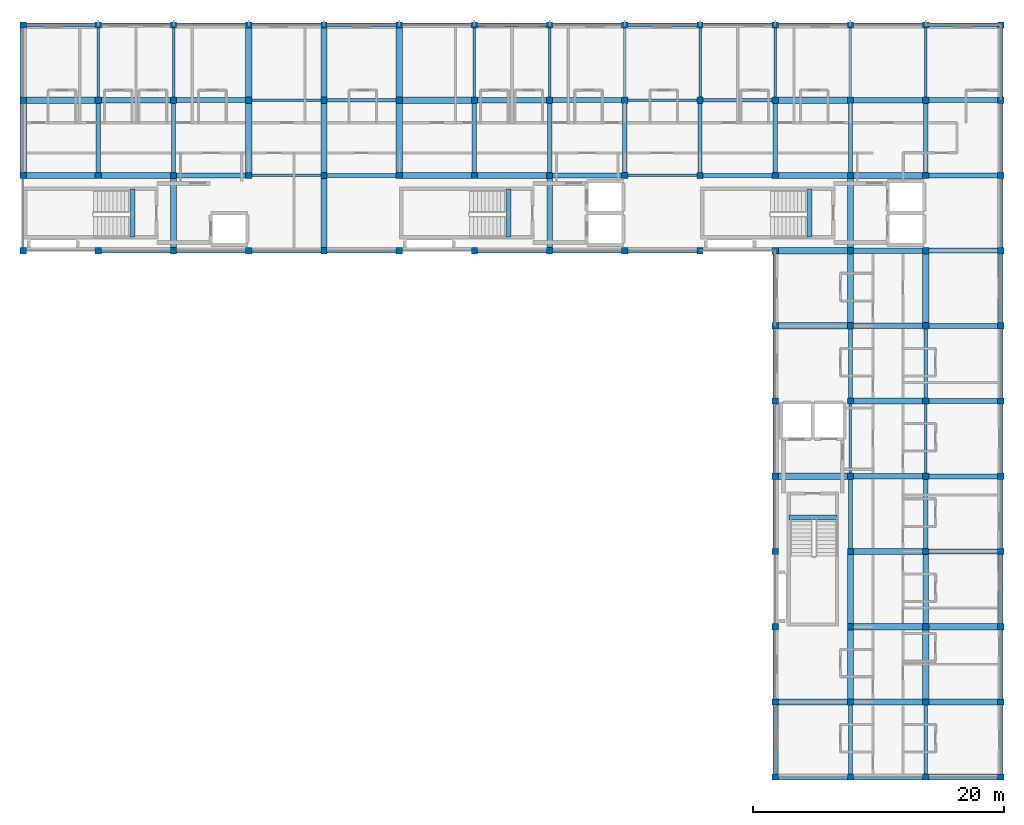
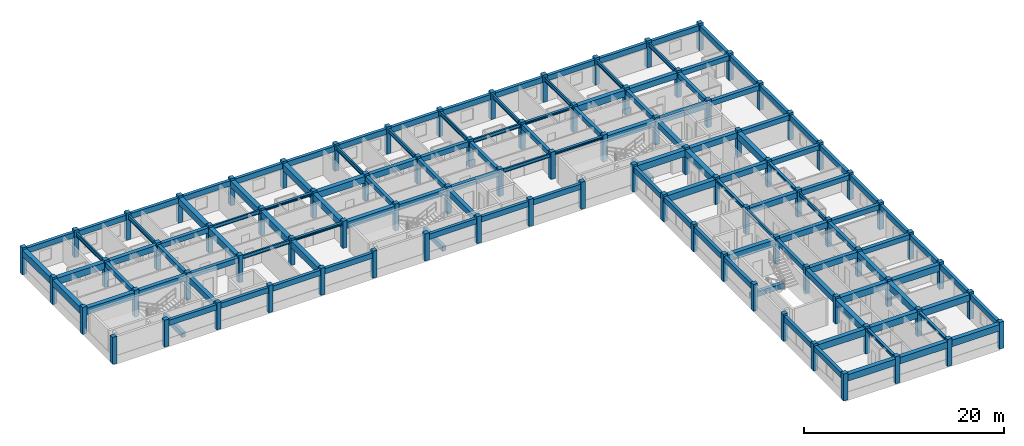
# One storey, part 1 of 14: 131 beams, 84 columns.
"""IFC4 building model written with IfcOpenShell, lengths in metres."""

from ifc_helpers import new_model, si_unit, direction, frame, origin, origin_2d, place, context, subcontext, project, spatial, rectangle, i_section, extrude, material, material_profile, profile_set, type_object, element, save


model = new_model("IFC4")

# Units and contexts
model_context = context("Model", 3, precision=1e-05, world=origin(), true_north=direction((0.0, 1.0)))
body_context = subcontext(model_context, "Body", "Model", "MODEL_VIEW")
ifc_project = project(units=[si_unit("LENGTHUNIT", "METRE"), si_unit("AREAUNIT", "SQUARE_METRE"), si_unit("VOLUMEUNIT", "CUBIC_METRE"), si_unit("PLANEANGLEUNIT", "RADIAN"), si_unit("MASSUNIT", "GRAM", prefix="KILO"), si_unit("THERMODYNAMICTEMPERATUREUNIT", "KELVIN"), si_unit("POWERUNIT", "WATT")], contexts=[model_context])

# Site, building, storey
site_placement = place(None, origin())
site = spatial("IfcSite", under=ifc_project, at=site_placement, CompositionType="ELEMENT")
building_placement = place(site_placement, origin())
building = spatial("IfcBuilding", under=site, at=building_placement, Name="Phaisarnlok Congress Hotel", CompositionType="ELEMENT")
storey_placement = place(building_placement, frame((0.0, 0.0, 48.0)))
storey = spatial("IfcBuildingStorey", under=building, at=storey_placement, Name="L12", CompositionType="ELEMENT", Elevation=48.0)

# Columns
ifc_material_1 = material(Name="Concrete C50/60", Category="concrete")
ifc_material_profile_1 = material_profile(ifc_material_1, rectangle(XDim=0.5, YDim=0.5, at=origin_2d()), Name="RC 500x500")
ifc_profile_set_1 = profile_set([ifc_material_profile_1], Name="Concrete C50/60")
column_type_1 = type_object("IfcColumnType", Name="COL-RC-500", PredefinedType="COLUMN", material=ifc_profile_set_1)
for number, where, z_axis, x_axis, name in (
    (1, (102.0, 108.0, 0.0), (0.0, 0.0, 1.0), (1.0, 0.0, 0.0), "Column C-01 (L12)"),
    (2, (102.0, 114.0, 0.0), (0.0, 0.0, 1.0), (1.0, 0.0, 0.0), "Column C-01 (L12)"),
    (3, (102.0, 120.0, 0.0), (0.0, 0.0, 1.0), (1.0, 0.0, 0.0), "Column C-01 (L12)"),
    (4, (108.0, 108.0, 0.0), (0.0, 0.0, 1.0), (1.0, 0.0, 0.0), "Column C-01 (L12)"),
    (5, (108.0, 114.0, 0.0), (0.0, 0.0, 1.0), (1.0, 0.0, 0.0), "Column C-01 (L12)"),
    (6, (108.0, 120.0, 0.0), (0.0, 0.0, 1.0), (1.0, 0.0, 0.0), "Column C-01 (L12)"),
    (7, (114.0, 108.0, 0.0), (0.0, 0.0, 1.0), (1.0, 0.0, 0.0), "Column C-01 (L12)"),
    (8, (114.0, 114.0, 0.0), (0.0, 0.0, 1.0), (1.0, 0.0, 0.0), "Column C-01 (L12)"),
    (9, (114.0, 120.0, 0.0), (0.0, 0.0, 1.0), (1.0, 0.0, 0.0), "Column C-01 (L12)"),
    (10, (120.0, 108.0, 0.0), (0.0, 0.0, 1.0), (1.0, 0.0, 0.0), "Column C-01 (L12)"),
    (11, (120.0, 114.0, 0.0), (0.0, 0.0, 1.0), (1.0, 0.0, 0.0), "Column C-01 (L12)"),
    (12, (120.0, 120.0, 0.0), (0.0, 0.0, 1.0), (1.0, 0.0, 0.0), "Column C-01 (L12)"),
    (13, (126.0, 108.0, 0.0), (0.0, 0.0, 1.0), (1.0, 0.0, 0.0), "Column C-01 (L12)"),
    (14, (126.0, 114.0, 0.0), (0.0, 0.0, 1.0), (1.0, 0.0, 0.0), "Column C-01 (L12)"),
    (15, (126.0, 120.0, 0.0), (0.0, 0.0, 1.0), (1.0, 0.0, 0.0), "Column C-01 (L12)"),
    (16, (132.0, 108.0, 0.0), (0.0, 0.0, 1.0), (1.0, 0.0, 0.0), "Column C-01 (L12)"),
    (17, (132.0, 114.0, 0.0), (0.0, 0.0, 1.0), (1.0, 0.0, 0.0), "Column C-01 (L12)"),
    (18, (132.0, 120.0, 0.0), (0.0, 0.0, 1.0), (1.0, 0.0, 0.0), "Column C-01 (L12)"),
    (19, (138.0, 108.0, 0.0), (0.0, 0.0, 1.0), (1.0, 0.0, 0.0), "Column C-01 (L12)"),
    (20, (138.0, 114.0, 0.0), (0.0, 0.0, 1.0), (1.0, 0.0, 0.0), "Column C-01 (L12)"),
    (21, (138.0, 120.0, 0.0), (0.0, 0.0, 1.0), (1.0, 0.0, 0.0), "Column C-01 (L12)"),
    (22, (144.0, 108.0, 0.0), (0.0, 0.0, 1.0), (1.0, 0.0, 0.0), "Column C-01 (L12)"),
    (23, (144.0, 114.0, 0.0), (0.0, 0.0, 1.0), (1.0, 0.0, 0.0), "Column C-01 (L12)"),
    (24, (144.0, 120.0, 0.0), (0.0, 0.0, 1.0), (1.0, 0.0, 0.0), "Column C-01 (L12)"),
    (25, (150.0, 108.0, 0.0), (0.0, 0.0, 1.0), (1.0, 0.0, 0.0), "Column C-01 (L12)"),
    (26, (150.0, 114.0, 0.0), (0.0, 0.0, 1.0), (1.0, 0.0, 0.0), "Column C-01 (L12)"),
    (27, (150.0, 120.0, 0.0), (0.0, 0.0, 1.0), (1.0, 0.0, 0.0), "Column C-01 (L12)"),
    (28, (156.0, 108.0, 0.0), (0.0, 0.0, 1.0), (1.0, 0.0, 0.0), "Column C-01 (L12)"),
    (29, (156.0, 114.0, 0.0), (0.0, 0.0, 1.0), (1.0, 0.0, 0.0), "Column C-01 (L12)"),
    (30, (156.0, 120.0, 0.0), (0.0, 0.0, 1.0), (1.0, 0.0, 0.0), "Column C-01 (L12)"),
    (31, (162.0, 66.0, 0.0), (0.0, 0.0, 1.0), (1.0, 0.0, 0.0), "Column C-01 (L12)"),
    (32, (162.0, 72.0, 0.0), (0.0, 0.0, 1.0), (1.0, 0.0, 0.0), "Column C-01 (L12)"),
    (33, (162.0, 78.0, 0.0), (0.0, 0.0, 1.0), (1.0, 0.0, 0.0), "Column C-01 (L12)"),
    (34, (162.0, 84.0, 0.0), (0.0, 0.0, 1.0), (1.0, 0.0, 0.0), "Column C-01 (L12)"),
    (35, (162.0, 90.0, 0.0), (0.0, 0.0, 1.0), (1.0, 0.0, 0.0), "Column C-01 (L12)"),
    (36, (162.0, 96.0, 0.0), (0.0, 0.0, 1.0), (1.0, 0.0, 0.0), "Column C-01 (L12)"),
    (37, (162.0, 102.0, 0.0), (0.0, 0.0, 1.0), (1.0, 0.0, 0.0), "Column C-01 (L12)"),
    (38, (162.0, 108.0, 0.0), (0.0, 0.0, 1.0), (1.0, 0.0, 0.0), "Column C-01 (L12)"),
    (39, (162.0, 114.0, 0.0), (0.0, 0.0, 1.0), (1.0, 0.0, 0.0), "Column C-01 (L12)"),
    (40, (162.0, 120.0, 0.0), (0.0, 0.0, 1.0), (1.0, 0.0, 0.0), "Column C-01 (L12)"),
    (41, (168.0, 66.0, 0.0), (0.0, 0.0, 1.0), (1.0, 0.0, 0.0), "Column C-01 (L12)"),
    (42, (168.0, 72.0, 0.0), (0.0, 0.0, 1.0), (1.0, 0.0, 0.0), "Column C-01 (L12)"),
    (43, (168.0, 78.0, 0.0), (0.0, 0.0, 1.0), (1.0, 0.0, 0.0), "Column C-01 (L12)"),
    (44, (168.0, 84.0, 0.0), (0.0, 0.0, 1.0), (1.0, 0.0, 0.0), "Column C-01 (L12)"),
    (45, (168.0, 90.0, 0.0), (0.0, 0.0, 1.0), (1.0, 0.0, 0.0), "Column C-01 (L12)"),
    (46, (168.0, 96.0, 0.0), (0.0, 0.0, 1.0), (1.0, 0.0, 0.0), "Column C-01 (L12)"),
    (47, (168.0, 102.0, 0.0), (0.0, 0.0, 1.0), (1.0, 0.0, 0.0), "Column C-01 (L12)"),
    (48, (168.0, 108.0, 0.0), (0.0, 0.0, 1.0), (1.0, 0.0, 0.0), "Column C-01 (L12)"),
    (49, (168.0, 114.0, 0.0), (0.0, 0.0, 1.0), (1.0, 0.0, 0.0), "Column C-01 (L12)"),
    (50, (168.0, 120.0, 0.0), (0.0, 0.0, 1.0), (1.0, 0.0, 0.0), "Column C-01 (L12)"),
    (51, (174.0, 66.0, 0.0), (0.0, 0.0, 1.0), (1.0, 0.0, 0.0), "Column C-01 (L12)"),
    (52, (174.0, 72.0, 0.0), (0.0, 0.0, 1.0), (1.0, 0.0, 0.0), "Column C-01 (L12)"),
    (53, (174.0, 78.0, 0.0), (0.0, 0.0, 1.0), (1.0, 0.0, 0.0), "Column C-01 (L12)"),
    (54, (174.0, 84.0, 0.0), (0.0, 0.0, 1.0), (1.0, 0.0, 0.0), "Column C-01 (L12)"),
    (55, (174.0, 90.0, 0.0), (0.0, 0.0, 1.0), (1.0, 0.0, 0.0), "Column C-01 (L12)"),
    (56, (174.0, 96.0, 0.0), (0.0, 0.0, 1.0), (1.0, 0.0, 0.0), "Column C-01 (L12)"),
    (57, (174.0, 102.0, 0.0), (0.0, 0.0, 1.0), (1.0, 0.0, 0.0), "Column C-01 (L12)"),
    (58, (174.0, 108.0, 0.0), (0.0, 0.0, 1.0), (1.0, 0.0, 0.0), "Column C-01 (L12)"),
    (59, (174.0, 114.0, 0.0), (0.0, 0.0, 1.0), (1.0, 0.0, 0.0), "Column C-01 (L12)"),
    (60, (174.0, 120.0, 0.0), (0.0, 0.0, 1.0), (1.0, 0.0, 0.0), "Column C-01 (L12)"),
):
    element("IfcColumn", number, at=place(storey_placement, frame(where, z_axis=z_axis, x_axis=x_axis)), inside=storey, type_object=column_type_1, Name=name, PredefinedType="COLUMN", context=body_context, shape_type="SweptSolid", body=[
        extrude(rectangle(XDim=0.5, YDim=0.5, at=origin_2d()), origin(), (0.0, 0.0, 1.0), 3.300048828125),
    ])
ifc_material_profile_2 = material_profile(ifc_material_1, rectangle(XDim=0.5, YDim=0.5, at=origin_2d()), Name="RC 500x500")
ifc_profile_set_2 = profile_set([ifc_material_profile_2], Name="Concrete C50/60")
column_type_2 = type_object("IfcColumnType", Name="COL-RC-500-EXT", PredefinedType="COLUMN", material=ifc_profile_set_2)
for number, where, z_axis, x_axis, name in (
    (61, (102.0, 126.0, 0.0), (0.0, 0.0, 1.0), (1.0, 0.0, 0.0), "Column C-01E (L12)"),
    (62, (108.0, 126.0, 0.0), (0.0, 0.0, 1.0), (1.0, 0.0, 0.0), "Column C-01E (L12)"),
    (63, (114.0, 126.0, 0.0), (0.0, 0.0, 1.0), (1.0, 0.0, 0.0), "Column C-01E (L12)"),
    (64, (120.0, 126.0, 0.0), (0.0, 0.0, 1.0), (1.0, 0.0, 0.0), "Column C-01E (L12)"),
    (65, (126.0, 126.0, 0.0), (0.0, 0.0, 1.0), (1.0, 0.0, 0.0), "Column C-01E (L12)"),
    (66, (132.0, 126.0, 0.0), (0.0, 0.0, 1.0), (1.0, 0.0, 0.0), "Column C-01E (L12)"),
    (67, (138.0, 126.0, 0.0), (0.0, 0.0, 1.0), (1.0, 0.0, 0.0), "Column C-01E (L12)"),
    (68, (144.0, 126.0, 0.0), (0.0, 0.0, 1.0), (1.0, 0.0, 0.0), "Column C-01E (L12)"),
    (69, (150.0, 126.0, 0.0), (0.0, 0.0, 1.0), (1.0, 0.0, 0.0), "Column C-01E (L12)"),
    (70, (156.0, 126.0, 0.0), (0.0, 0.0, 1.0), (1.0, 0.0, 0.0), "Column C-01E (L12)"),
    (71, (162.0, 126.0, 0.0), (0.0, 0.0, 1.0), (1.0, 0.0, 0.0), "Column C-01E (L12)"),
    (72, (168.0, 126.0, 0.0), (0.0, 0.0, 1.0), (1.0, 0.0, 0.0), "Column C-01E (L12)"),
    (73, (174.0, 126.0, 0.0), (0.0, 0.0, 1.0), (1.0, 0.0, 0.0), "Column C-01E (L12)"),
    (74, (180.0, 66.0, 0.0), (0.0, 0.0, 1.0), (1.0, 0.0, 0.0), "Column C-01E (L12)"),
    (75, (180.0, 72.0, 0.0), (0.0, 0.0, 1.0), (1.0, 0.0, 0.0), "Column C-01E (L12)"),
    (76, (180.0, 78.0, 0.0), (0.0, 0.0, 1.0), (1.0, 0.0, 0.0), "Column C-01E (L12)"),
    (77, (180.0, 84.0, 0.0), (0.0, 0.0, 1.0), (1.0, 0.0, 0.0), "Column C-01E (L12)"),
    (78, (180.0, 90.0, 0.0), (0.0, 0.0, 1.0), (1.0, 0.0, 0.0), "Column C-01E (L12)"),
    (79, (180.0, 96.0, 0.0), (0.0, 0.0, 1.0), (1.0, 0.0, 0.0), "Column C-01E (L12)"),
    (80, (180.0, 102.0, 0.0), (0.0, 0.0, 1.0), (1.0, 0.0, 0.0), "Column C-01E (L12)"),
    (81, (180.0, 108.0, 0.0), (0.0, 0.0, 1.0), (1.0, 0.0, 0.0), "Column C-01E (L12)"),
    (82, (180.0, 114.0, 0.0), (0.0, 0.0, 1.0), (1.0, 0.0, 0.0), "Column C-01E (L12)"),
    (83, (180.0, 120.0, 0.0), (0.0, 0.0, 1.0), (1.0, 0.0, 0.0), "Column C-01E (L12)"),
    (84, (180.0, 126.0, 0.0), (0.0, 0.0, 1.0), (1.0, 0.0, 0.0), "Column C-01E (L12)"),
):
    element("IfcColumn", number, at=place(storey_placement, frame(where, z_axis=z_axis, x_axis=x_axis)), inside=storey, type_object=column_type_2, Name=name, PredefinedType="COLUMN", context=body_context, shape_type="SweptSolid", body=[
        extrude(rectangle(XDim=0.5, YDim=0.5, at=origin_2d()), origin(), (0.0, 0.0, 1.0), 3.300048828125),
    ])

# Beams
ifc_material_2 = material(Name="Concrete C40/50", Category="concrete")
ifc_material_profile_3 = material_profile(ifc_material_2, rectangle(XDim=0.35009765625, YDim=0.550048828125, at=origin_2d()), Name="RC 350x550")
ifc_profile_set_3 = profile_set([ifc_material_profile_3], Name="Concrete C40/50")
beam_type_1 = type_object("IfcBeamType", Name="BM-RC-350x550", PredefinedType="BEAM", material=ifc_profile_set_3)
for number, where, z_axis, x_axis, name in (
    (85, (108.0, 114.2451171875, 2.77490234375), (0.0, 1.0, 0.0), (-1.0, 0.0, 0.0), "Beam B-01"),
    (86, (114.0, 114.2451171875, 2.77490234375), (0.0, 1.0, 0.0), (-1.0, 0.0, 0.0), "Beam B-01"),
    (87, (138.0, 114.2451171875, 2.77490234375), (0.0, 1.0, 0.0), (-1.0, 0.0, 0.0), "Beam B-01"),
    (88, (144.0, 114.2451171875, 2.77490234375), (0.0, 1.0, 0.0), (-1.0, 0.0, 0.0), "Beam B-01"),
    (89, (150.0, 114.2451171875, 2.77490234375), (0.0, 1.0, 0.0), (-1.0, 0.0, 0.0), "Beam B-01"),
    (90, (156.0, 114.2451171875, 2.77490234375), (0.0, 1.0, 0.0), (-1.0, 0.0, 0.0), "Beam B-01"),
    (91, (162.0, 114.2451171875, 2.77490234375), (0.0, 1.0, 0.0), (-1.0, 0.0, 0.0), "Beam B-01"),
    (92, (168.0, 84.2451171875, 2.77490234375), (0.0, 1.0, 0.0), (-1.0, 0.0, 0.0), "Beam B-01"),
    (93, (168.0, 114.2451171875, 2.77490234375), (0.0, 1.0, 0.0), (-1.0, 0.0, 0.0), "Beam B-01"),
    (94, (174.0, 84.2451171875, 2.77490234375), (0.0, 1.0, 0.0), (-1.0, 0.0, 0.0), "Beam B-01"),
    (95, (174.0, 114.2451171875, 2.77490234375), (0.0, 1.0, 0.0), (-1.0, 0.0, 0.0), "Beam B-01"),
):
    element("IfcBeam", number, at=place(storey_placement, frame(where, z_axis=z_axis, x_axis=x_axis)), inside=storey, type_object=beam_type_1, Name=name, PredefinedType="BEAM", context=body_context, shape_type="SweptSolid", body=[
        extrude(rectangle(XDim=0.35009765625, YDim=0.550048828125, at=origin_2d()), origin(), (0.0, 0.0, 1.0), 5.509765625),
    ])
ifc_material_profile_4 = material_profile(ifc_material_2, rectangle(XDim=0.39990234375, YDim=0.60009765625, at=origin_2d()), Name="RC 400x600")
ifc_profile_set_4 = profile_set([ifc_material_profile_4], Name="Concrete C40/50")
beam_type_2 = type_object("IfcBeamType", Name="BM-RC-400x600", PredefinedType="BEAM", material=ifc_profile_set_4)
for number, where, z_axis, x_axis, name in (
    (96, (114.2451171875, 114.0, 2.75), (1.0, 0.0, 0.0), (0.0, 1.0, 0.0), "Beam B-02"),
    (97, (114.2451171875, 120.0, 2.75), (1.0, 0.0, 0.0), (0.0, 1.0, 0.0), "Beam B-02"),
    (98, (144.2451171875, 114.0, 2.75), (1.0, 0.0, 0.0), (0.0, 1.0, 0.0), "Beam B-02"),
    (99, (144.2451171875, 120.0, 2.75), (1.0, 0.0, 0.0), (0.0, 1.0, 0.0), "Beam B-02"),
    (100, (174.2451171875, 84.0, 2.75), (1.0, 0.0, 0.0), (0.0, 1.0, 0.0), "Beam B-02"),
    (101, (174.2451171875, 90.0, 2.75), (1.0, 0.0, 0.0), (0.0, 1.0, 0.0), "Beam B-02"),
    (102, (174.2451171875, 96.0, 2.75), (1.0, 0.0, 0.0), (0.0, 1.0, 0.0), "Beam B-02"),
    (103, (174.2451171875, 102.0, 2.75), (1.0, 0.0, 0.0), (0.0, 1.0, 0.0), "Beam B-02"),
    (104, (174.2451171875, 108.0, 2.75), (1.0, 0.0, 0.0), (0.0, 1.0, 0.0), "Beam B-02"),
    (105, (174.2451171875, 114.0, 2.75), (1.0, 0.0, 0.0), (0.0, 1.0, 0.0), "Beam B-02"),
    (106, (174.2451171875, 120.0, 2.75), (1.0, 0.0, 0.0), (0.0, 1.0, 0.0), "Beam B-02"),
):
    element("IfcBeam", number, at=place(storey_placement, frame(where, z_axis=z_axis, x_axis=x_axis)), inside=storey, type_object=beam_type_2, Name=name, PredefinedType="BEAM", context=body_context, shape_type="SweptSolid", body=[
        extrude(rectangle(XDim=0.39990234375, YDim=0.60009765625, at=origin_2d()), origin(), (0.0, 0.0, 1.0), 5.509765625),
    ])
for number, where, z_axis, x_axis, name in (
    (107, (164.719970703125, 109.080078125, -0.300048828125), (0.0, 1.0, 0.0), (-1.0, 0.0, 0.0), "Stair landing header beam B-02 (CORE-1 L12)"),
    (108, (140.719970703125, 109.080078125, -0.300048828125), (0.0, 1.0, 0.0), (-1.0, 0.0, 0.0), "Stair landing header beam B-02 (CORE-2 L12)"),
    (109, (163.080078125, 86.719970703125, -0.300048828125), (1.0, 0.0, 0.0), (0.0, 1.0, 0.0), "Stair landing header beam B-02 (CORE-3 L12)"),
    (110, (110.719970703125, 109.080078125, -0.300048828125), (0.0, 1.0, 0.0), (-1.0, 0.0, 0.0), "Stair landing header beam B-02 (CORE-4 L12)"),
):
    element("IfcBeam", number, at=place(storey_placement, frame(where, z_axis=z_axis, x_axis=x_axis)), inside=storey, type_object=beam_type_2, Name=name, PredefinedType="BEAM", context=body_context, shape_type="SweptSolid", body=[
        extrude(rectangle(XDim=0.39990234375, YDim=0.60009765625, at=origin_2d()), origin(), (0.0, 0.0, 1.0), 3.83984375),
    ])
ifc_material_profile_5 = material_profile(ifc_material_2, rectangle(XDim=0.449951171875, YDim=0.699951171875, at=origin_2d()), Name="RC 450x700")
ifc_profile_set_5 = profile_set([ifc_material_profile_5], Name="Concrete C40/50")
beam_type_3 = type_object("IfcBeamType", Name="BM-RC-450x700", PredefinedType="BEAM", material=ifc_profile_set_5)
for number, where, z_axis, x_axis, name in (
    (111, (108.2451171875, 114.0, 2.699951171875), (1.0, 0.0, 0.0), (0.0, 1.0, 0.0), "Beam B-03"),
    (112, (108.2451171875, 120.0, 2.699951171875), (1.0, 0.0, 0.0), (0.0, 1.0, 0.0), "Beam B-03"),
    (113, (114.0, 108.2451171875, 2.699951171875), (0.0, 1.0, 0.0), (-1.0, 0.0, 0.0), "Beam B-03"),
    (114, (138.2451171875, 114.0, 2.699951171875), (1.0, 0.0, 0.0), (0.0, 1.0, 0.0), "Beam B-03"),
    (115, (138.2451171875, 120.0, 2.699951171875), (1.0, 0.0, 0.0), (0.0, 1.0, 0.0), "Beam B-03"),
    (116, (144.0, 108.2451171875, 2.699951171875), (0.0, 1.0, 0.0), (-1.0, 0.0, 0.0), "Beam B-03"),
    (117, (168.0, 78.2451171875, 2.699951171875), (0.0, 1.0, 0.0), (-1.0, 0.0, 0.0), "Beam B-03"),
    (118, (168.2451171875, 84.0, 2.699951171875), (1.0, 0.0, 0.0), (0.0, 1.0, 0.0), "Beam B-03"),
    (119, (168.2451171875, 90.0, 2.699951171875), (1.0, 0.0, 0.0), (0.0, 1.0, 0.0), "Beam B-03"),
    (120, (168.2451171875, 96.0, 2.699951171875), (1.0, 0.0, 0.0), (0.0, 1.0, 0.0), "Beam B-03"),
    (121, (168.2451171875, 102.0, 2.699951171875), (1.0, 0.0, 0.0), (0.0, 1.0, 0.0), "Beam B-03"),
    (122, (168.2451171875, 108.0, 2.699951171875), (1.0, 0.0, 0.0), (0.0, 1.0, 0.0), "Beam B-03"),
    (123, (168.0, 108.2451171875, 2.699951171875), (0.0, 1.0, 0.0), (-1.0, 0.0, 0.0), "Beam B-03"),
    (124, (168.2451171875, 114.0, 2.699951171875), (1.0, 0.0, 0.0), (0.0, 1.0, 0.0), "Beam B-03"),
    (125, (168.2451171875, 120.0, 2.699951171875), (1.0, 0.0, 0.0), (0.0, 1.0, 0.0), "Beam B-03"),
    (126, (174.0, 78.2451171875, 2.699951171875), (0.0, 1.0, 0.0), (-1.0, 0.0, 0.0), "Beam B-03"),
):
    element("IfcBeam", number, at=place(storey_placement, frame(where, z_axis=z_axis, x_axis=x_axis)), inside=storey, type_object=beam_type_3, Name=name, PredefinedType="BEAM", context=body_context, shape_type="SweptSolid", body=[
        extrude(rectangle(XDim=0.449951171875, YDim=0.699951171875, at=origin_2d()), origin(), (0.0, 0.0, 1.0), 5.509765625),
    ])
ifc_material_profile_6 = material_profile(ifc_material_2, rectangle(XDim=0.5, YDim=0.800048828125, at=origin_2d()), Name="RC 500x800")
ifc_profile_set_6 = profile_set([ifc_material_profile_6], Name="Concrete C40/50")
beam_type_4 = type_object("IfcBeamType", Name="BM-RC-500x800", PredefinedType="BEAM", material=ifc_profile_set_6)
for number, where, z_axis, x_axis, name in (
    (127, (102.2451171875, 114.0, 2.64990234375), (1.0, 0.0, 0.0), (0.0, 1.0, 0.0), "Beam B-04"),
    (128, (102.2451171875, 120.0, 2.64990234375), (1.0, 0.0, 0.0), (0.0, 1.0, 0.0), "Beam B-04"),
    (129, (120.0, 114.2451171875, 2.64990234375), (0.0, 1.0, 0.0), (-1.0, 0.0, 0.0), "Beam B-04"),
    (130, (120.0, 120.2451171875, 2.64990234375), (0.0, 1.0, 0.0), (-1.0, 0.0, 0.0), "Beam B-04"),
    (131, (126.0, 108.2451171875, 2.64990234375), (0.0, 1.0, 0.0), (-1.0, 0.0, 0.0), "Beam B-04"),
    (132, (126.0, 114.2451171875, 2.64990234375), (0.0, 1.0, 0.0), (-1.0, 0.0, 0.0), "Beam B-04"),
    (133, (126.0, 120.2451171875, 2.64990234375), (0.0, 1.0, 0.0), (-1.0, 0.0, 0.0), "Beam B-04"),
    (134, (132.2451171875, 114.0, 2.64990234375), (1.0, 0.0, 0.0), (0.0, 1.0, 0.0), "Beam B-04"),
    (135, (132.0, 114.2451171875, 2.64990234375), (0.0, 1.0, 0.0), (-1.0, 0.0, 0.0), "Beam B-04"),
    (136, (132.2451171875, 120.0, 2.64990234375), (1.0, 0.0, 0.0), (0.0, 1.0, 0.0), "Beam B-04"),
    (137, (132.0, 120.2451171875, 2.64990234375), (0.0, 1.0, 0.0), (-1.0, 0.0, 0.0), "Beam B-04"),
    (138, (162.2451171875, 72.0, 2.64990234375), (1.0, 0.0, 0.0), (0.0, 1.0, 0.0), "Beam B-04"),
    (139, (162.2451171875, 90.0, 2.64990234375), (1.0, 0.0, 0.0), (0.0, 1.0, 0.0), "Beam B-04"),
    (140, (162.2451171875, 102.0, 2.64990234375), (1.0, 0.0, 0.0), (0.0, 1.0, 0.0), "Beam B-04"),
    (141, (162.2451171875, 108.0, 2.64990234375), (1.0, 0.0, 0.0), (0.0, 1.0, 0.0), "Beam B-04"),
    (142, (162.2451171875, 114.0, 2.64990234375), (1.0, 0.0, 0.0), (0.0, 1.0, 0.0), "Beam B-04"),
    (143, (162.2451171875, 120.0, 2.64990234375), (1.0, 0.0, 0.0), (0.0, 1.0, 0.0), "Beam B-04"),
    (144, (168.2451171875, 72.0, 2.64990234375), (1.0, 0.0, 0.0), (0.0, 1.0, 0.0), "Beam B-04"),
    (145, (168.0, 72.2451171875, 2.64990234375), (0.0, 1.0, 0.0), (-1.0, 0.0, 0.0), "Beam B-04"),
    (146, (168.2451171875, 78.0, 2.64990234375), (1.0, 0.0, 0.0), (0.0, 1.0, 0.0), "Beam B-04"),
    (147, (168.0, 102.2451171875, 2.64990234375), (0.0, 1.0, 0.0), (-1.0, 0.0, 0.0), "Beam B-04"),
    (148, (174.2451171875, 72.0, 2.64990234375), (1.0, 0.0, 0.0), (0.0, 1.0, 0.0), "Beam B-04"),
    (149, (174.0, 72.2451171875, 2.64990234375), (0.0, 1.0, 0.0), (-1.0, 0.0, 0.0), "Beam B-04"),
    (150, (174.2451171875, 78.0, 2.64990234375), (1.0, 0.0, 0.0), (0.0, 1.0, 0.0), "Beam B-04"),
    (151, (174.0, 102.2451171875, 2.64990234375), (0.0, 1.0, 0.0), (-1.0, 0.0, 0.0), "Beam B-04"),
):
    element("IfcBeam", number, at=place(storey_placement, frame(where, z_axis=z_axis, x_axis=x_axis)), inside=storey, type_object=beam_type_4, Name=name, PredefinedType="BEAM", context=body_context, shape_type="SweptSolid", body=[
        extrude(rectangle(XDim=0.5, YDim=0.800048828125, at=origin_2d()), origin(), (0.0, 0.0, 1.0), 5.509765625),
    ])
ifc_material_3 = material(Name="Steel S355", Category="steel")
ifc_material_profile_7 = material_profile(ifc_material_3, i_section(OverallWidth=0.300048828125, OverallDepth=0.2900390625, WebThickness=0.008544921875, FlangeThickness=0.013916015625, FilletRadius=0.027099609375, at=origin_2d()), Name="HEA 300")
ifc_profile_set_7 = profile_set([ifc_material_profile_7], Name="Steel S355")
beam_type_5 = type_object("IfcBeamType", Name="BM-STL-HEA300", PredefinedType="BEAM", material=ifc_profile_set_7)
for number, where, z_axis, x_axis, name in (
    (152, (126.2451171875, 114.0, 2.905029296875), (1.0, 0.0, 0.0), (0.0, 1.0, 0.0), "Beam SB-05"),
    (153, (126.2451171875, 120.0, 2.905029296875), (1.0, 0.0, 0.0), (0.0, 1.0, 0.0), "Beam SB-05"),
    (154, (156.2451171875, 114.0, 2.905029296875), (1.0, 0.0, 0.0), (0.0, 1.0, 0.0), "Beam SB-05"),
    (155, (156.2451171875, 120.0, 2.905029296875), (1.0, 0.0, 0.0), (0.0, 1.0, 0.0), "Beam SB-05"),
):
    element("IfcBeam", number, at=place(storey_placement, frame(where, z_axis=z_axis, x_axis=x_axis)), inside=storey, type_object=beam_type_5, Name=name, PredefinedType="BEAM", context=body_context, shape_type="SweptSolid", body=[
        extrude(i_section(OverallWidth=0.300048828125, OverallDepth=0.2900390625, WebThickness=0.008544921875, FlangeThickness=0.013916015625, FilletRadius=0.027099609375, at=origin_2d()), origin(), (0.0, 0.0, 1.0), 5.509765625),
    ])
ifc_material_profile_8 = material_profile(ifc_material_3, i_section(OverallWidth=0.300048828125, OverallDepth=0.340087890625, WebThickness=0.011962890625, FlangeThickness=0.021484375, FilletRadius=0.027099609375, at=origin_2d()), Name="HEB 340")
ifc_profile_set_8 = profile_set([ifc_material_profile_8], Name="Steel S355")
beam_type_6 = type_object("IfcBeamType", Name="BM-STL-HEB340", PredefinedType="BEAM", material=ifc_profile_set_8)
for number, where, z_axis, x_axis, name in (
    (156, (168.0, 66.2451171875, 2.8798828125), (0.0, 1.0, 0.0), (-1.0, 0.0, 0.0), "Beam SB-07"),
    (157, (168.0, 96.2451171875, 2.8798828125), (0.0, 1.0, 0.0), (-1.0, 0.0, 0.0), "Beam SB-07"),
    (158, (174.0, 66.2451171875, 2.8798828125), (0.0, 1.0, 0.0), (-1.0, 0.0, 0.0), "Beam SB-07"),
    (159, (174.0, 96.2451171875, 2.8798828125), (0.0, 1.0, 0.0), (-1.0, 0.0, 0.0), "Beam SB-07"),
):
    element("IfcBeam", number, at=place(storey_placement, frame(where, z_axis=z_axis, x_axis=x_axis)), inside=storey, type_object=beam_type_6, Name=name, PredefinedType="BEAM", context=body_context, shape_type="SweptSolid", body=[
        extrude(i_section(OverallWidth=0.300048828125, OverallDepth=0.340087890625, WebThickness=0.011962890625, FlangeThickness=0.021484375, FilletRadius=0.027099609375, at=origin_2d()), origin(), (0.0, 0.0, 1.0), 5.509765625),
    ])
ifc_material_profile_9 = material_profile(ifc_material_3, i_section(OverallWidth=0.18994140625, OverallDepth=0.449951171875, WebThickness=0.009521484375, FlangeThickness=0.0146484375, FilletRadius=0.02099609375, at=origin_2d()), Name="IPE 450")
ifc_profile_set_9 = profile_set([ifc_material_profile_9], Name="Steel S355")
beam_type_7 = type_object("IfcBeamType", Name="BM-STL-IPE450", PredefinedType="BEAM", material=ifc_profile_set_9)
for number, where, z_axis, x_axis, name in (
    (160, (120.2451171875, 114.0, 2.824951171875), (1.0, 0.0, 0.0), (0.0, 1.0, 0.0), "Beam SB-01"),
    (161, (120.2451171875, 120.0, 2.824951171875), (1.0, 0.0, 0.0), (0.0, 1.0, 0.0), "Beam SB-01"),
    (162, (150.2451171875, 114.0, 2.824951171875), (1.0, 0.0, 0.0), (0.0, 1.0, 0.0), "Beam SB-01"),
    (163, (150.2451171875, 120.0, 2.824951171875), (1.0, 0.0, 0.0), (0.0, 1.0, 0.0), "Beam SB-01"),
):
    element("IfcBeam", number, at=place(storey_placement, frame(where, z_axis=z_axis, x_axis=x_axis)), inside=storey, type_object=beam_type_7, Name=name, PredefinedType="BEAM", context=body_context, shape_type="SweptSolid", body=[
        extrude(i_section(OverallWidth=0.18994140625, OverallDepth=0.449951171875, WebThickness=0.009521484375, FlangeThickness=0.0146484375, FilletRadius=0.02099609375, at=origin_2d()), origin(), (0.0, 0.0, 1.0), 5.509765625),
    ])
ifc_material_profile_10 = material_profile(ifc_material_3, i_section(OverallWidth=0.199951171875, OverallDepth=0.5, WebThickness=0.01025390625, FlangeThickness=0.01611328125, FilletRadius=0.02099609375, at=origin_2d()), Name="IPE 500")
ifc_profile_set_10 = profile_set([ifc_material_profile_10], Name="Steel S355")
beam_type_8 = type_object("IfcBeamType", Name="BM-STL-IPE500", PredefinedType="BEAM", material=ifc_profile_set_10)
for number, where, z_axis, x_axis, name in (
    (164, (108.0, 120.2451171875, 2.800048828125), (0.0, 1.0, 0.0), (-1.0, 0.0, 0.0), "Beam SB-02"),
    (165, (114.0, 120.2451171875, 2.800048828125), (0.0, 1.0, 0.0), (-1.0, 0.0, 0.0), "Beam SB-02"),
    (166, (138.0, 120.2451171875, 2.800048828125), (0.0, 1.0, 0.0), (-1.0, 0.0, 0.0), "Beam SB-02"),
    (167, (144.0, 120.2451171875, 2.800048828125), (0.0, 1.0, 0.0), (-1.0, 0.0, 0.0), "Beam SB-02"),
    (168, (150.0, 120.2451171875, 2.800048828125), (0.0, 1.0, 0.0), (-1.0, 0.0, 0.0), "Beam SB-02"),
    (169, (156.0, 120.2451171875, 2.800048828125), (0.0, 1.0, 0.0), (-1.0, 0.0, 0.0), "Beam SB-02"),
    (170, (162.0, 120.2451171875, 2.800048828125), (0.0, 1.0, 0.0), (-1.0, 0.0, 0.0), "Beam SB-02"),
    (171, (168.0, 90.2451171875, 2.800048828125), (0.0, 1.0, 0.0), (-1.0, 0.0, 0.0), "Beam SB-02"),
    (172, (168.0, 120.2451171875, 2.800048828125), (0.0, 1.0, 0.0), (-1.0, 0.0, 0.0), "Beam SB-02"),
    (173, (174.0, 90.2451171875, 2.800048828125), (0.0, 1.0, 0.0), (-1.0, 0.0, 0.0), "Beam SB-02"),
    (174, (174.0, 120.2451171875, 2.800048828125), (0.0, 1.0, 0.0), (-1.0, 0.0, 0.0), "Beam SB-02"),
):
    element("IfcBeam", number, at=place(storey_placement, frame(where, z_axis=z_axis, x_axis=x_axis)), inside=storey, type_object=beam_type_8, Name=name, PredefinedType="BEAM", context=body_context, shape_type="SweptSolid", body=[
        extrude(i_section(OverallWidth=0.199951171875, OverallDepth=0.5, WebThickness=0.01025390625, FlangeThickness=0.01611328125, FilletRadius=0.02099609375, at=origin_2d()), origin(), (0.0, 0.0, 1.0), 5.509765625),
    ])
ifc_material_profile_11 = material_profile(ifc_material_2, rectangle(XDim=0.35009765625, YDim=0.64990234375, at=origin_2d()), Name="RC 350x650")
ifc_profile_set_11 = profile_set([ifc_material_profile_11], Name="Concrete C40/50")
beam_type_9 = type_object("IfcBeamType", Name="SP-RC-350x650", PredefinedType="SPANDREL", material=ifc_profile_set_11)
for number, where, z_axis, x_axis, name in (
    (175, (102.2451171875, 126.0, 2.72509765625), (1.0, 0.0, 0.0), (0.0, 1.0, 0.0), "Beam SP-01"),
    (176, (108.2451171875, 108.0, 2.72509765625), (1.0, 0.0, 0.0), (0.0, 1.0, 0.0), "Beam SP-01"),
    (177, (108.2451171875, 126.0, 2.72509765625), (1.0, 0.0, 0.0), (0.0, 1.0, 0.0), "Beam SP-01"),
    (178, (114.2451171875, 108.0, 2.72509765625), (1.0, 0.0, 0.0), (0.0, 1.0, 0.0), "Beam SP-01"),
    (179, (114.2451171875, 126.0, 2.72509765625), (1.0, 0.0, 0.0), (0.0, 1.0, 0.0), "Beam SP-01"),
    (180, (120.2451171875, 108.0, 2.72509765625), (1.0, 0.0, 0.0), (0.0, 1.0, 0.0), "Beam SP-01"),
    (181, (120.2451171875, 126.0, 2.72509765625), (1.0, 0.0, 0.0), (0.0, 1.0, 0.0), "Beam SP-01"),
    (182, (126.2451171875, 108.0, 2.72509765625), (1.0, 0.0, 0.0), (0.0, 1.0, 0.0), "Beam SP-01"),
    (183, (126.2451171875, 126.0, 2.72509765625), (1.0, 0.0, 0.0), (0.0, 1.0, 0.0), "Beam SP-01"),
    (184, (132.2451171875, 126.0, 2.72509765625), (1.0, 0.0, 0.0), (0.0, 1.0, 0.0), "Beam SP-01"),
    (185, (138.2451171875, 108.0, 2.72509765625), (1.0, 0.0, 0.0), (0.0, 1.0, 0.0), "Beam SP-01"),
    (186, (138.2451171875, 126.0, 2.72509765625), (1.0, 0.0, 0.0), (0.0, 1.0, 0.0), "Beam SP-01"),
    (187, (144.2451171875, 108.0, 2.72509765625), (1.0, 0.0, 0.0), (0.0, 1.0, 0.0), "Beam SP-01"),
    (188, (144.2451171875, 126.0, 2.72509765625), (1.0, 0.0, 0.0), (0.0, 1.0, 0.0), "Beam SP-01"),
    (189, (150.2451171875, 108.0, 2.72509765625), (1.0, 0.0, 0.0), (0.0, 1.0, 0.0), "Beam SP-01"),
    (190, (150.2451171875, 126.0, 2.72509765625), (1.0, 0.0, 0.0), (0.0, 1.0, 0.0), "Beam SP-01"),
    (191, (156.2451171875, 126.0, 2.72509765625), (1.0, 0.0, 0.0), (0.0, 1.0, 0.0), "Beam SP-01"),
    (192, (162.0, 66.2451171875, 2.72509765625), (0.0, 1.0, 0.0), (-1.0, 0.0, 0.0), "Beam SP-01"),
    (193, (162.0, 72.2451171875, 2.72509765625), (0.0, 1.0, 0.0), (-1.0, 0.0, 0.0), "Beam SP-01"),
    (194, (162.0, 84.2451171875, 2.72509765625), (0.0, 1.0, 0.0), (-1.0, 0.0, 0.0), "Beam SP-01"),
    (195, (162.0, 90.2451171875, 2.72509765625), (0.0, 1.0, 0.0), (-1.0, 0.0, 0.0), "Beam SP-01"),
    (196, (162.0, 96.2451171875, 2.72509765625), (0.0, 1.0, 0.0), (-1.0, 0.0, 0.0), "Beam SP-01"),
    (197, (162.0, 102.2451171875, 2.72509765625), (0.0, 1.0, 0.0), (-1.0, 0.0, 0.0), "Beam SP-01"),
    (198, (162.2451171875, 126.0, 2.72509765625), (1.0, 0.0, 0.0), (0.0, 1.0, 0.0), "Beam SP-01"),
    (199, (168.2451171875, 126.0, 2.72509765625), (1.0, 0.0, 0.0), (0.0, 1.0, 0.0), "Beam SP-01"),
    (200, (174.2451171875, 126.0, 2.72509765625), (1.0, 0.0, 0.0), (0.0, 1.0, 0.0), "Beam SP-01"),
    (201, (180.0, 66.2451171875, 2.72509765625), (0.0, 1.0, 0.0), (-1.0, 0.0, 0.0), "Beam SP-01"),
    (202, (180.0, 72.2451171875, 2.72509765625), (0.0, 1.0, 0.0), (-1.0, 0.0, 0.0), "Beam SP-01"),
    (203, (180.0, 78.2451171875, 2.72509765625), (0.0, 1.0, 0.0), (-1.0, 0.0, 0.0), "Beam SP-01"),
    (204, (180.0, 84.2451171875, 2.72509765625), (0.0, 1.0, 0.0), (-1.0, 0.0, 0.0), "Beam SP-01"),
    (205, (180.0, 90.2451171875, 2.72509765625), (0.0, 1.0, 0.0), (-1.0, 0.0, 0.0), "Beam SP-01"),
    (206, (180.0, 96.2451171875, 2.72509765625), (0.0, 1.0, 0.0), (-1.0, 0.0, 0.0), "Beam SP-01"),
    (207, (180.0, 102.2451171875, 2.72509765625), (0.0, 1.0, 0.0), (-1.0, 0.0, 0.0), "Beam SP-01"),
    (208, (180.0, 108.2451171875, 2.72509765625), (0.0, 1.0, 0.0), (-1.0, 0.0, 0.0), "Beam SP-01"),
    (209, (180.0, 114.2451171875, 2.72509765625), (0.0, 1.0, 0.0), (-1.0, 0.0, 0.0), "Beam SP-01"),
    (210, (180.0, 120.2451171875, 2.72509765625), (0.0, 1.0, 0.0), (-1.0, 0.0, 0.0), "Beam SP-01"),
):
    element("IfcBeam", number, at=place(storey_placement, frame(where, z_axis=z_axis, x_axis=x_axis)), inside=storey, type_object=beam_type_9, Name=name, PredefinedType="SPANDREL", context=body_context, shape_type="SweptSolid", body=[
        extrude(rectangle(XDim=0.35009765625, YDim=0.64990234375, at=origin_2d()), origin(), (0.0, 0.0, 1.0), 5.509765625),
    ])
ifc_material_profile_12 = material_profile(ifc_material_2, rectangle(XDim=0.5, YDim=0.800048828125, at=origin_2d()), Name="RC 500x800")
ifc_profile_set_12 = profile_set([ifc_material_profile_12], Name="Concrete C40/50")
beam_type_10 = type_object("IfcBeamType", Name="SP-RC-500x800", PredefinedType="SPANDREL", material=ifc_profile_set_12)
for number, where, z_axis, x_axis, name in (
    (211, (102.0, 114.2451171875, 2.64990234375), (0.0, 1.0, 0.0), (-1.0, 0.0, 0.0), "Beam SP-04"),
    (212, (102.0, 120.2451171875, 2.64990234375), (0.0, 1.0, 0.0), (-1.0, 0.0, 0.0), "Beam SP-04"),
    (213, (162.2451171875, 66.0, 2.64990234375), (1.0, 0.0, 0.0), (0.0, 1.0, 0.0), "Beam SP-04"),
    (214, (168.2451171875, 66.0, 2.64990234375), (1.0, 0.0, 0.0), (0.0, 1.0, 0.0), "Beam SP-04"),
    (215, (174.2451171875, 66.0, 2.64990234375), (1.0, 0.0, 0.0), (0.0, 1.0, 0.0), "Beam SP-04"),
):
    element("IfcBeam", number, at=place(storey_placement, frame(where, z_axis=z_axis, x_axis=x_axis)), inside=storey, type_object=beam_type_10, Name=name, PredefinedType="SPANDREL", context=body_context, shape_type="SweptSolid", body=[
        extrude(rectangle(XDim=0.5, YDim=0.800048828125, at=origin_2d()), origin(), (0.0, 0.0, 1.0), 5.509765625),
    ])

save(model, "model.ifc")
